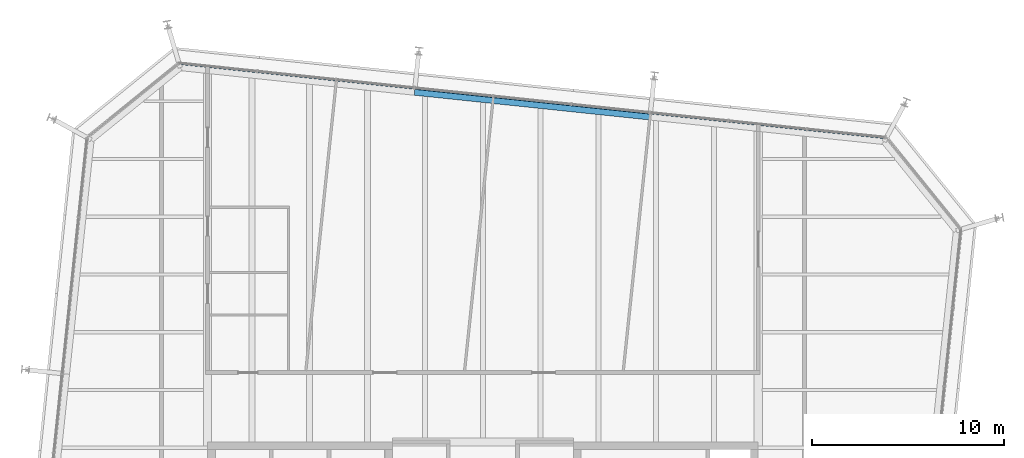
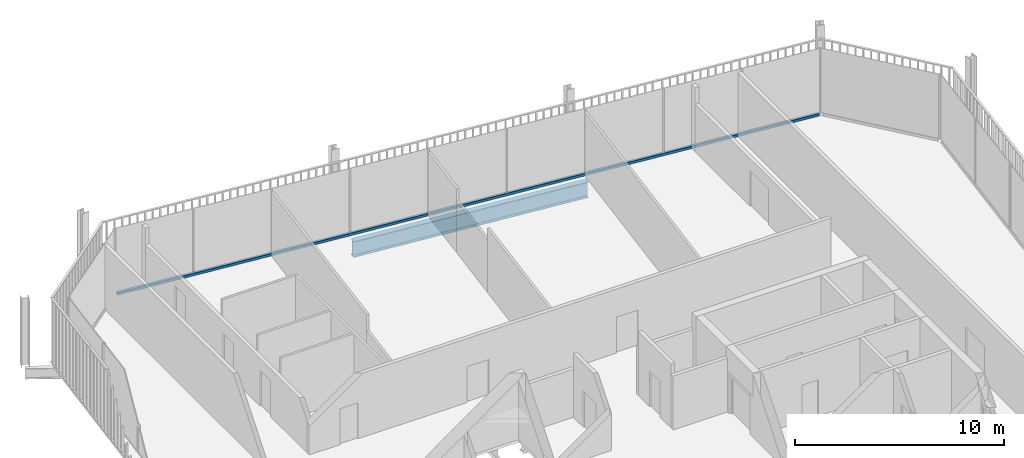
# One storey, part 13 of 20: 1 beam, 1 member, 1 element without a shape of its own.
"""IFC4 building model written with IfcOpenShell, lengths in metres."""

from ifc_helpers import new_model, si_unit, direction, frame, origin, origin_2d, place, context, subcontext, project, spatial, rectangle, i_section, extrude, material, layer, layer_set, material_profile, profile_set, type_object, element, aggregate, save


model = new_model("IFC4")

# Units and contexts
model_context = context("Model", 3, precision=1e-05, world=origin(), true_north=direction((0.0, 1.0)))
body_context = subcontext(model_context, "Body", "Model", "MODEL_VIEW")
ifc_project = project(units=[si_unit("LENGTHUNIT", "METRE"), si_unit("AREAUNIT", "SQUARE_METRE"), si_unit("VOLUMEUNIT", "CUBIC_METRE"), si_unit("PLANEANGLEUNIT", "RADIAN"), si_unit("MASSUNIT", "GRAM", prefix="KILO")], contexts=[model_context])

# Site, building, storey
site_placement = place(None, origin())
site = spatial("IfcSite", under=ifc_project, at=site_placement, CompositionType="ELEMENT")
building_placement = place(site_placement, origin())
building = spatial("IfcBuilding", under=site, at=building_placement, Name="Millrace Tower", CompositionType="ELEMENT")
storey_placement = place(building_placement, frame((0.0, 0.0, 330.39990234375)))
storey = spatial("IfcBuildingStorey", under=building, at=storey_placement, Name="L76", CompositionType="ELEMENT", Elevation=330.39990234375)

# Curtain wall, member
ifc_material_1 = material(Name="Aluminium and glass", Category="aluminium")
ifc_layer = layer(ifc_material_1, 0.14990234375)
ifc_layer_set = layer_set([ifc_layer], Name="Aluminium and glass")
curtain_wall_type = type_object("IfcCurtainWallType", Name="CW-1 office vision curtain wall", PredefinedType="NOTDEFINED", material=ifc_layer_set)
curtain_wall_placement = place(storey_placement, origin())
curtain_wall = element("IfcCurtainWall", 1, at=curtain_wall_placement, inside=storey, type_object=curtain_wall_type, Name="Curtain wall E-F06 L76", PredefinedType="NOTDEFINED")
ifc_material_2 = material(Name="Aluminium", Category="aluminium")
ifc_material_profile_1 = material_profile(ifc_material_2, rectangle(XDim=0.14990234375, YDim=0.139892578125, at=origin_2d()))
ifc_profile_set_1 = profile_set([ifc_material_profile_1], Name="Aluminium")
member_type = type_object("IfcMemberType", Name="CW-1 office vision curtain wall transom", PredefinedType="USERDEFINED", material=ifc_profile_set_1)
member_placement = place(storey_placement, frame((20.83544921875, 25.1318359375, 0.070068359375), z_axis=(-0.994521952886, 0.104527916025, 0.0), x_axis=(-0.104527916025, -0.994521952886, 0.0)))
member = element("IfcMember", 2, at=member_placement, type_object=member_type, Name="CW1 transom E-F06.1", ObjectType="TRANSOM", PredefinedType="USERDEFINED", context=body_context, shape_type="SweptSolid", body=[
    extrude(rectangle(XDim=0.14990234375, YDim=0.139892578125, at=origin_2d()), origin(), (0.0, 0.0, 1.0), 36.699951171875),
])
aggregate(curtain_wall, [member])

# Beam
ifc_material_3 = material(Name="Steel ASTM A992 Grade 50", Category="steel")
ifc_material_profile_2 = material_profile(ifc_material_3, i_section(OverallWidth=0.307373046875, OverallDepth=0.927001953125, WebThickness=0.01953125, FlangeThickness=0.031982421875, FilletRadius=0.01904296875, at=origin_2d()))
ifc_profile_set_2 = profile_set([ifc_material_profile_2], Name="Steel ASTM A992 Grade 50")
beam_type = type_object("IfcBeamType", Name="Ring beam medium span W36x194", PredefinedType="SPANDREL", material=ifc_profile_set_2)
beam_placement = place(storey_placement, frame((-3.554443359375, 27.46533203125, -0.62353515625), z_axis=(0.994522406476, -0.104523600289, 0.0), x_axis=(0.104523600289, 0.994522406476, 0.0)))
element("IfcBeam", 3, at=beam_placement, inside=storey, type_object=beam_type, Name="RNG-E-L76-S1-06", PredefinedType="SPANDREL", context=body_context, shape_type="SweptSolid", body=[
    extrude(i_section(OverallWidth=0.307373046875, OverallDepth=0.927001953125, WebThickness=0.01953125, FlangeThickness=0.031982421875, FilletRadius=0.01904296875, at=origin_2d()), origin(), (0.0, 0.0, 1.0), 12.300048828125),
])

save(model, "model.ifc")
